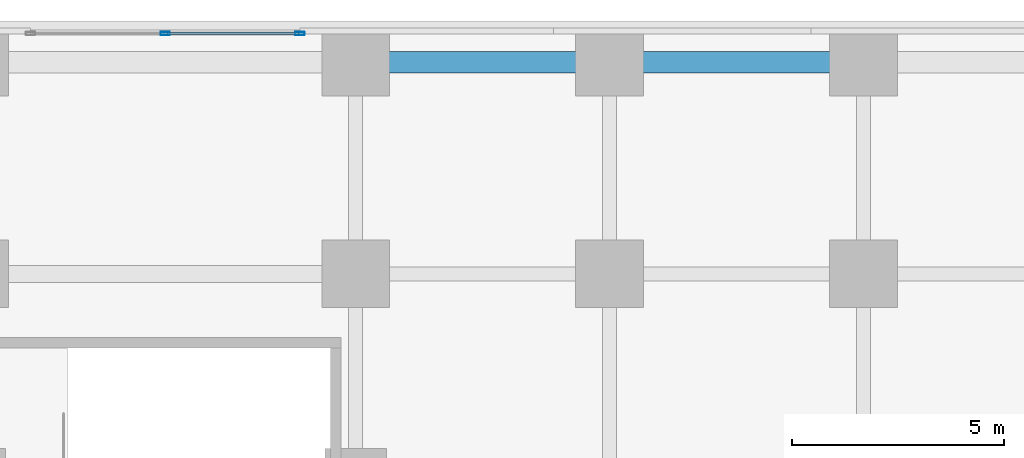
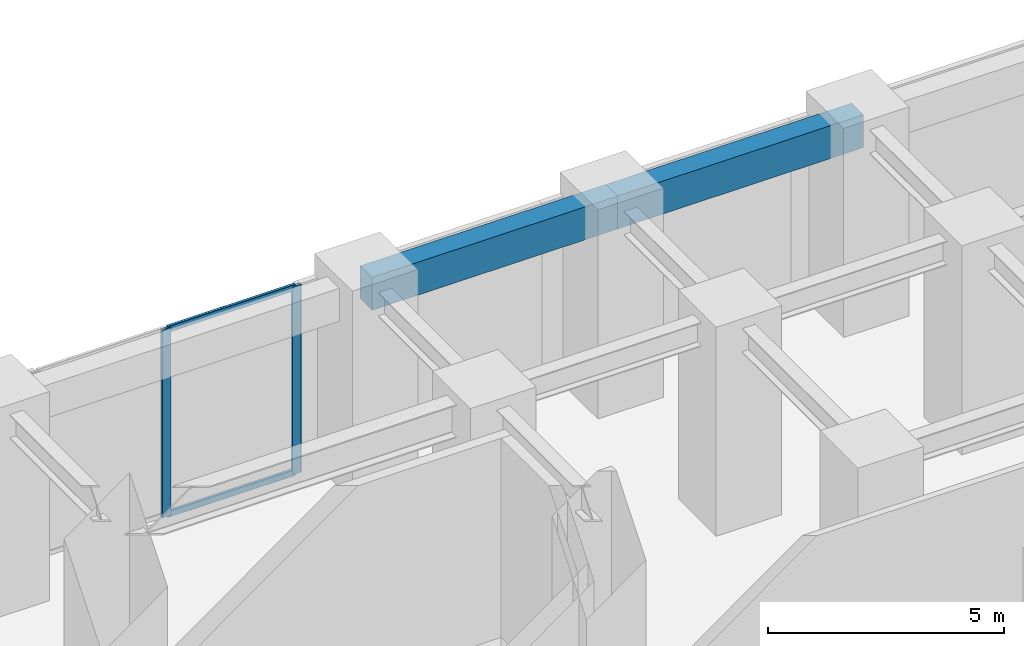
# One storey, part 20 of 33: 4 members, 2 beams, 1 element without a shape of its own.
"""IFC4 building model written with IfcOpenShell, lengths in metres."""

from ifc_helpers import new_model, si_unit, direction, frame, origin, origin_2d, place, context, subcontext, project, spatial, rectangle, hollow_rectangle, extrude, source, transform, mapped, material, material_profile, profile_set, type_object, element, aggregate, save


model = new_model("IFC4")

# Units and contexts
model_context = context("Model", 3, precision=1e-05, world=origin(), true_north=direction((0.0, 1.0)))
body_context = subcontext(model_context, "Body", "Model", "MODEL_VIEW")
ifc_project = project(units=[si_unit("LENGTHUNIT", "METRE"), si_unit("AREAUNIT", "SQUARE_METRE"), si_unit("VOLUMEUNIT", "CUBIC_METRE"), si_unit("PLANEANGLEUNIT", "RADIAN"), si_unit("MASSUNIT", "GRAM", prefix="KILO")], contexts=[model_context])

# Site, building, storey
site_placement = place(None, origin())
site = spatial("IfcSite", under=ifc_project, at=site_placement, CompositionType="ELEMENT")
building_placement = place(site_placement, origin())
building = spatial("IfcBuilding", under=site, at=building_placement, Name="Torre Montelarca", CompositionType="ELEMENT")
storey_placement = place(building_placement, frame((0.0, 0.0, 12.0)))
storey = spatial("IfcBuildingStorey", under=building, at=storey_placement, Name="L03", CompositionType="ELEMENT", Elevation=12.0)

# Beams
ifc_material_1 = material(Name="Concrete C55/67", Category="concrete")
ifc_material_profile_1 = material_profile(ifc_material_1, rectangle(XDim=0.5, YDim=0.85009765625, at=origin_2d()), Name="RCB500X850", Category="concrete")
ifc_profile_set_1 = profile_set([ifc_material_profile_1], Name="Concrete C55/67")
beam_type = type_object("IfcBeamType", Name="BM-SP-RC850-EXT", PredefinedType="SPANDREL", material=ifc_profile_set_1)
shared_shape_1 = source(origin(), body_context, "Body", "SweptSolid", [
    extrude(rectangle(XDim=0.5, YDim=0.85009765625, at=origin_2d()), origin(), (0.0, 0.0, 1.0), 6.0),
])
for number, where, z_axis, x_axis, name in (
    (1, (36.0, 57.0, 4.715087890625), (1.0, 0.0, 0.0), (0.0, 1.0, 0.0), "L03 Grid Girder X 36.0-42.0 at Y=57.0"),
    (2, (42.0, 57.0, 4.715087890625), (1.0, 0.0, 0.0), (0.0, 1.0, 0.0), "L03 Grid Girder X 42.0-48.0 at Y=57.0"),
):
    element("IfcBeam", number, at=place(storey_placement, frame(where, z_axis=z_axis, x_axis=x_axis)), inside=storey, type_object=beam_type, Name=name, PredefinedType="SPANDREL", context=body_context, shape_type="MappedRepresentation", body=[
        mapped(shared_shape_1, transform((0.0, 0.0, 0.0), scale=1.0)),
    ])

# Curtain wall, members
ifc_material_2 = material(Name="Insulated low-E laminated glass", Category="glass")
curtain_wall_type = type_object("IfcCurtainWallType", Name="CW-SYS-POD2", PredefinedType="USERDEFINED", material=ifc_material_2)
curtain_wall_placement = place(storey_placement, origin())
curtain_wall = element("IfcCurtainWall", 3, at=curtain_wall_placement, inside=storey, type_object=curtain_wall_type, Name="L03 Curtain Wall Run CW-T3-L03-E08-B1", ObjectType="UNITISED GLAZING", PredefinedType="USERDEFINED")
ifc_material_3 = material(Name="Anodised aluminium AA 6063-T6", Category="aluminium")
ifc_material_profile_2 = material_profile(ifc_material_3, hollow_rectangle(XDim=0.074951171875, YDim=0.159912109375, WallThickness=0.0048828125, InnerFilletRadius=0.0048828125, OuterFilletRadius=0.010009765625, at=origin_2d()), Name="ALU75X160X5", Category="aluminium")
ifc_profile_set_2 = profile_set([ifc_material_profile_2], Name="Anodised aluminium AA 6063-T6")
member_type_1 = type_object("IfcMemberType", Name="CWT-ALU160", PredefinedType="USERDEFINED", material=ifc_profile_set_2)
shared_shape_2 = source(origin(), body_context, "Body", "SweptSolid", [
    extrude(hollow_rectangle(XDim=0.074951171875, YDim=0.159912109375, WallThickness=0.0048828125, InnerFilletRadius=0.0048828125, OuterFilletRadius=0.010009765625, at=origin_2d()), origin(), (0.0, 0.0, 1.0), 3.107421875),
])
member_1_placement = place(storey_placement, frame((34.64501953125, 57.679931640625, 0.03759765625), z_axis=(-1.0, 0.0, 0.0), x_axis=(0.0, -1.0, 0.0)))
member_1 = element("IfcMember", 4, at=member_1_placement, type_object=member_type_1, Name="CW transom 1.1", ObjectType="TRANSOM", PredefinedType="USERDEFINED", context=body_context, shape_type="MappedRepresentation", body=[
    mapped(shared_shape_2, transform((0.0, 0.0, 0.0), scale=1.0)),
])
member_2_placement = place(storey_placement, frame((34.64501953125, 57.679931640625, 4.8125), z_axis=(-1.0, 0.0, 0.0), x_axis=(0.0, -1.0, 0.0)))
member_2 = element("IfcMember", 5, at=member_2_placement, type_object=member_type_1, Name="CW transom 1.2", ObjectType="TRANSOM", PredefinedType="USERDEFINED", context=body_context, shape_type="MappedRepresentation", body=[
    mapped(shared_shape_2, transform((0.0, 0.0, 0.0), scale=1.0)),
])
ifc_material_profile_3 = material_profile(ifc_material_3, hollow_rectangle(XDim=0.074951171875, YDim=0.219970703125, WallThickness=0.0048828125, InnerFilletRadius=0.0048828125, OuterFilletRadius=0.010009765625, at=origin_2d()), Name="ALU75X220X5", Category="aluminium")
ifc_profile_set_3 = profile_set([ifc_material_profile_3], Name="Anodised aluminium AA 6063-T6")
member_type_2 = type_object("IfcMemberType", Name="CWM-ALU220", PredefinedType="MULLION", material=ifc_profile_set_3)
shared_shape_3 = source(origin(), body_context, "Body", "SweptSolid", [
    extrude(hollow_rectangle(XDim=0.074951171875, YDim=0.219970703125, WallThickness=0.0048828125, InnerFilletRadius=0.0048828125, OuterFilletRadius=0.010009765625, at=origin_2d()), origin(), (0.0, 0.0, 1.0), 4.85009765625),
])
member_3_placement = place(storey_placement, frame((34.6826171875, 57.679931640625, 0.0), z_axis=(0.0, 0.0, 1.0), x_axis=(0.0, -1.0, 0.0)))
member_3 = element("IfcMember", 6, at=member_3_placement, type_object=member_type_2, Name="CW mullion 1", PredefinedType="MULLION", context=body_context, shape_type="MappedRepresentation", body=[
    mapped(shared_shape_3, transform((0.0, 0.0, 0.0), scale=1.0)),
])
member_4_placement = place(storey_placement, frame((31.5, 57.679931640625, 0.0), z_axis=(0.0, 0.0, 1.0), x_axis=(0.0, -1.0, 0.0)))
member_4 = element("IfcMember", 7, at=member_4_placement, type_object=member_type_2, Name="CW mullion 2", PredefinedType="MULLION", context=body_context, shape_type="MappedRepresentation", body=[
    mapped(shared_shape_3, transform((0.0, 0.0, 0.0), scale=1.0)),
])
aggregate(curtain_wall, [member_3, member_4, member_1, member_2])

save(model, "model.ifc")
